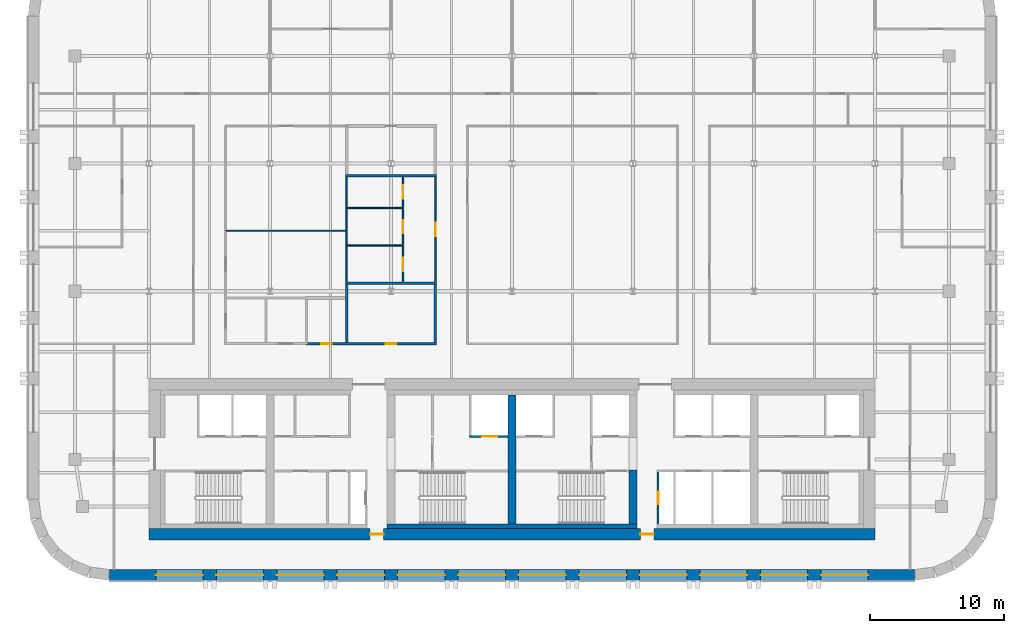
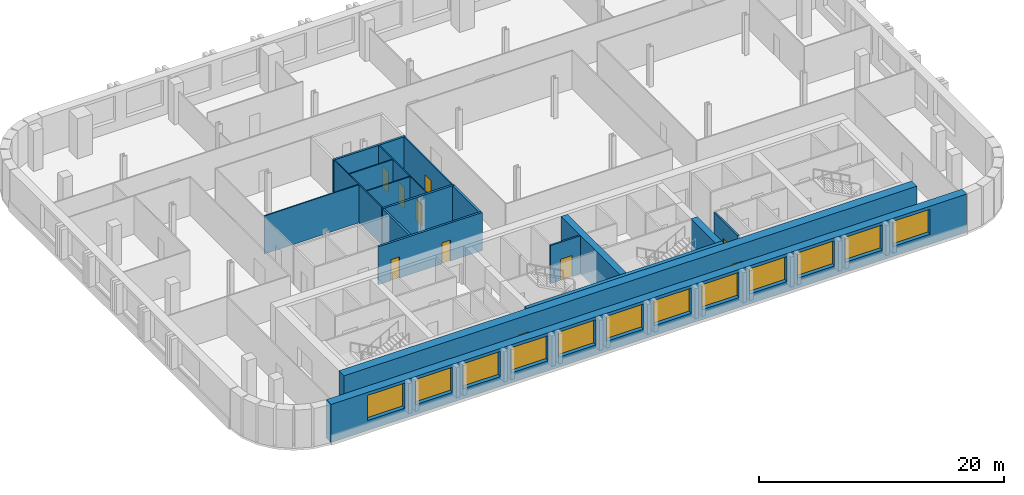
# One storey, part 4 of 10: 18 walls, 12 windows, 10 doors, 22 openings.
"""IFC4 building model written with IfcOpenShell, lengths in metres."""

from ifc_helpers import new_model, si_unit, direction, frame, frame_2d, origin, place, context, subcontext, project, spatial, rectangle, extrude, material, layer, layer_set, type_object, element, fill, save


model = new_model("IFC4")

# Units and contexts
model_context = context("Model", 3, precision=1e-05, world=origin(), true_north=direction((0.0, 1.0)))
body_context = subcontext(model_context, "Body", "Model", "MODEL_VIEW")
ifc_project = project(units=[si_unit("LENGTHUNIT", "METRE"), si_unit("AREAUNIT", "SQUARE_METRE"), si_unit("VOLUMEUNIT", "CUBIC_METRE"), si_unit("PLANEANGLEUNIT", "RADIAN"), si_unit("MASSUNIT", "GRAM", prefix="KILO")], contexts=[model_context])

# Site, building, storey
site_placement = place(None, origin())
site = spatial("IfcSite", under=ifc_project, at=site_placement, CompositionType="ELEMENT")
building_placement = place(site_placement, origin())
building = spatial("IfcBuilding", under=site, at=building_placement, Name="Zellij Exchange Tower", CompositionType="ELEMENT")
storey_placement = place(building_placement, frame((0.0, 0.0, 168.5)))
storey = spatial("IfcBuildingStorey", under=building, at=storey_placement, Name="L38", CompositionType="ELEMENT", Elevation=168.5)

# Walls
ifc_material_1 = material(Name="Concrete C60/75", Category="concrete")
ifc_layer_1 = layer(ifc_material_1, 0.60009765625)
ifc_layer_set_1 = layer_set([ifc_layer_1], Name="Concrete C60/75")
wall_type_1 = type_object("IfcWallType", Name="CORE-CW 600 C60/75", PredefinedType="SHEAR", material=ifc_layer_set_1)
wall_1_placement = place(storey_placement, frame((0.0, -12.800048828125, 0.0), z_axis=(0.0, 0.0, 1.0), x_axis=(0.0, 1.0, 0.0)))
element("IfcWall", 1, at=wall_1_placement, inside=storey, type_object=wall_type_1, Name="Core cross wall x 0 L38", PredefinedType="SHEAR", context=body_context, shape_type="SweptSolid", body=[
    extrude(rectangle(XDim=9.60009765625, YDim=0.60009765625, at=frame_2d((4.800048828125, 0.0))), origin(), (0.0, 0.0, 1.0), 3.800048828125),
])
wall_2_placement = place(storey_placement, frame((9.0, -12.800048828125, 0.0), z_axis=(0.0, 0.0, 1.0), x_axis=(0.0, 1.0, 0.0)))
element("IfcWall", 2, at=wall_2_placement, inside=storey, type_object=wall_type_1, Name="Core cross wall pier x 9 a L38", PredefinedType="SHEAR", context=body_context, shape_type="SweptSolid", body=[
    extrude(rectangle(XDim=4.0, YDim=0.60009765625, at=frame_2d((2.0, 0.0))), origin(), (0.0, 0.0, 1.0), 3.800048828125),
])
ifc_material_2 = material(Name="Concrete C30/37", Category="concrete")
ifc_layer_2 = layer(ifc_material_2, 0.35009765625)
ifc_layer_set_2 = layer_set([ifc_layer_2], Name="Concrete C30/37")
wall_type_2 = type_object("IfcWallType", Name="CORE-LW 350 C30/37", PredefinedType="SHEAR", material=ifc_layer_set_2)
wall_3_placement = place(storey_placement, frame((-9.300048828125, -12.97509765625, 0.0), z_axis=(0.0, 0.0, 1.0), x_axis=(1.0, 0.0, 0.0)))
element("IfcWall", 3, at=wall_3_placement, inside=storey, type_object=wall_type_2, Name="Core wall lining rear.1 L38", PredefinedType="SHEAR", context=body_context, shape_type="SweptSolid", body=[
    extrude(rectangle(XDim=18.60009765625, YDim=0.35009765625, at=frame_2d((9.300048828125, 0.0))), origin(), (0.0, 0.0, 1.0), 3.800048828125),
])

# Wall, opening, door
ifc_material_3 = material(Name="Gypsum board partition")
ifc_layer_3 = layer(ifc_material_3, 0.14990234375)
ifc_layer_set_3 = layer_set([ifc_layer_3], Name="Gypsum board partition")
wall_type_3 = type_object("IfcWallType", Name="CORE-PW 150 Lift lobby wall", PredefinedType="PARTITIONING", material=ifc_layer_set_3)
wall_4_placement = place(storey_placement, frame((10.875, -12.800048828125, 0.0), z_axis=(0.0, 0.0, 1.0), x_axis=(0.0, 1.0, 0.0)))
wall_4 = element("IfcWall", 4, at=wall_4_placement, inside=storey, type_object=wall_type_3, Name="Lift lobby wall L38", PredefinedType="PARTITIONING", context=body_context, shape_type="SweptSolid", body=[
    extrude(rectangle(XDim=3.85009765625, YDim=0.14990234375, at=frame_2d((1.925048828125, 0.0))), origin(), (0.0, 0.0, 1.0), 3.800048828125),
])
opening_1_placement = place(wall_4_placement, frame((1.47509765625, 0.0, 0.0)))
opening_1 = element("IfcOpeningElement", 5, at=opening_1_placement, cuts=wall_4, Name="Opening CA-21.21", PredefinedType="OPENING", context=body_context, shape_type="SweptSolid", body=[
    extrude(rectangle(XDim=0.89990234375, YDim=2.10009765625, at=frame_2d((0.449951171875, 1.050048828125))), frame((0.0, 0.0869140625, 0.0), z_axis=(0.0, -1.0, 0.0), x_axis=(1.0, 0.0, 0.0)), (0.0, 0.0, 1.0), 0.173828125),
])
ifc_material_4 = material(Name="Hollow metal fire door")
door_type_1 = type_object("IfcDoorType", Name="CORE-D RD Riser door 900x2100 1.5 HR", OperationType="NOTDEFINED", PredefinedType="DOOR", material=ifc_material_4)
door_1_placement = place(opening_1_placement, origin())
door_1 = element("IfcDoor", 6, at=door_1_placement, inside=storey, type_object=door_type_1, Name="Riser door CA-21.21", OperationType="SINGLE_SWING_LEFT", OverallHeight=2.10009765625, OverallWidth=0.89990234375, PredefinedType="DOOR", context=body_context, shape_type="SweptSolid", body=[
    extrude(rectangle(XDim=0.89990234375, YDim=2.10009765625, at=frame_2d((0.449951171875, 1.050048828125))), frame((0.0, 0.02490234375, 0.0), z_axis=(0.0, -1.0, 0.0), x_axis=(1.0, 0.0, 0.0)), (0.0, 0.0, 1.0), 0.050048828125),
])
fill(opening_1, door_1)

ifc_material_5 = material(Name="Gypsum shaft wall system")
ifc_layer_4 = layer(ifc_material_5, 0.14990234375)
ifc_layer_set_4 = layer_set([ifc_layer_4], Name="Gypsum shaft wall system")
wall_type_4 = type_object("IfcWallType", Name="CORE-PW 150 Lift shaft wall", PredefinedType="PARTITIONING", material=ifc_layer_set_4)
wall_5_placement = place(storey_placement, frame((-3.14990234375, -6.300048828125, 0.0), z_axis=(0.0, 0.0, 1.0), x_axis=(1.0, 0.0, 0.0)))
wall_5 = element("IfcWall", 7, at=wall_5_placement, inside=storey, type_object=wall_type_4, Name="Lift shaft wall L38", PredefinedType="PARTITIONING", context=body_context, shape_type="SweptSolid", body=[
    extrude(rectangle(XDim=2.849853515625, YDim=0.14990234375, at=frame_2d((1.4248046875, 0.0))), origin(), (0.0, 0.0, 1.0), 3.800048828125),
])
opening_2_placement = place(wall_5_placement, frame((0.949951171875, 0.0, 0.0)))
opening_2 = element("IfcOpeningElement", 8, at=opening_2_placement, cuts=wall_5, Name="Opening CA-21.14", PredefinedType="OPENING", context=body_context, shape_type="SweptSolid", body=[
    extrude(rectangle(XDim=1.10009765625, YDim=2.10009765625, at=frame_2d((0.550048828125, 1.050048828125))), frame((0.0, 0.0869140625, 0.0), z_axis=(0.0, -1.0, 0.0), x_axis=(1.0, 0.0, 0.0)), (0.0, 0.0, 1.0), 0.173828125),
])
door_type_2 = type_object("IfcDoorType", Name="CORE-D LD Lift landing door 1100x2100 1.5 HR", OperationType="NOTDEFINED", PredefinedType="DOOR", material=ifc_material_4)
door_2_placement = place(opening_2_placement, origin())
door_2 = element("IfcDoor", 9, at=door_2_placement, inside=storey, type_object=door_type_2, Name="Lift landing door CA-21.14", OperationType="SLIDING_TO_RIGHT", OverallHeight=2.10009765625, OverallWidth=1.10009765625, PredefinedType="DOOR", context=body_context, shape_type="SweptSolid", body=[
    extrude(rectangle(XDim=1.10009765625, YDim=2.10009765625, at=frame_2d((0.550048828125, 1.050048828125))), frame((0.0, 0.02490234375, 0.0), z_axis=(0.0, -1.0, 0.0), x_axis=(1.0, 0.0, 0.0)), (0.0, 0.0, 1.0), 0.050048828125),
])
fill(opening_2, door_2)

# Wall, openings, doors
ifc_layer_5 = layer(ifc_material_1, 0.85009765625)
ifc_layer_set_5 = layer_set([ifc_layer_5], Name="Concrete C60/75")
wall_type_5 = type_object("IfcWallType", Name="CORE-SW 850 C60/75", PredefinedType="SHEAR", material=ifc_layer_set_5)
wall_6_placement = place(storey_placement, frame((-27.0, -13.574951171875, 0.0), z_axis=(0.0, 0.0, 1.0), x_axis=(1.0, 0.0, 0.0)))
wall_6 = element("IfcWall", 10, at=wall_6_placement, inside=storey, type_object=wall_type_5, Name="Core shear wall rear L38", PredefinedType="SHEAR", context=body_context, shape_type="SweptSolid", body=[
    extrude(rectangle(XDim=54.0, YDim=0.85009765625, at=frame_2d((27.0, 0.0))), origin(), (0.0, 0.0, 1.0), 3.800048828125),
])
opening_3_placement = place(wall_6_placement, frame((16.449951171875, 0.0, 0.0)))
opening_3 = element("IfcOpeningElement", 11, at=opening_3_placement, cuts=wall_6, Name="Opening CA-21.11", PredefinedType="OPENING", context=body_context, shape_type="SweptSolid", body=[
    extrude(rectangle(XDim=1.0, YDim=2.10009765625, at=frame_2d((0.5, 1.050048828125))), frame((0.0, 0.43701171875, 0.0), z_axis=(0.0, -1.0, 0.0), x_axis=(1.0, 0.0, 0.0)), (0.0, 0.0, 1.0), 0.8740234375),
])
opening_4_placement = place(wall_6_placement, frame((36.550048828125, 0.0, 0.0)))
opening_4 = element("IfcOpeningElement", 12, at=opening_4_placement, cuts=wall_6, Name="Opening CA-21.19", PredefinedType="OPENING", context=body_context, shape_type="SweptSolid", body=[
    extrude(rectangle(XDim=1.0, YDim=2.10009765625, at=frame_2d((0.5, 1.050048828125))), frame((0.0, 0.43701171875, 0.0), z_axis=(0.0, -1.0, 0.0), x_axis=(1.0, 0.0, 0.0)), (0.0, 0.0, 1.0), 0.8740234375),
])
door_type_3 = type_object("IfcDoorType", Name="CORE-D CR Core rear door 1000x2100 20 MIN", OperationType="NOTDEFINED", PredefinedType="DOOR", material=ifc_material_4)
door_3_placement = place(opening_3_placement, origin())
door_3 = element("IfcDoor", 13, at=door_3_placement, inside=storey, type_object=door_type_3, Name="Core rear door CA-21.11", OperationType="SINGLE_SWING_RIGHT", OverallHeight=2.10009765625, OverallWidth=1.0, PredefinedType="DOOR", context=body_context, shape_type="SweptSolid", body=[
    extrude(rectangle(XDim=1.0, YDim=2.10009765625, at=frame_2d((0.5, 1.050048828125))), frame((0.0, 0.02490234375, 0.0), z_axis=(0.0, -1.0, 0.0), x_axis=(1.0, 0.0, 0.0)), (0.0, 0.0, 1.0), 0.050048828125),
])
fill(opening_3, door_3)
door_4_placement = place(opening_4_placement, origin())
door_4 = element("IfcDoor", 14, at=door_4_placement, inside=storey, type_object=door_type_3, Name="Core rear door CA-21.19", OperationType="SINGLE_SWING_LEFT", OverallHeight=2.10009765625, OverallWidth=1.0, PredefinedType="DOOR", context=body_context, shape_type="SweptSolid", body=[
    extrude(rectangle(XDim=1.0, YDim=2.10009765625, at=frame_2d((0.5, 1.050048828125))), frame((0.0, 0.02490234375, 0.0), z_axis=(0.0, -1.0, 0.0), x_axis=(1.0, 0.0, 0.0)), (0.0, 0.0, 1.0), 0.050048828125),
])
fill(opening_4, door_4)

# Wall, openings, windows
ifc_material_6 = material(Name="Precast concrete C40/50", Category="concrete")
ifc_layer_6 = layer(ifc_material_6, 0.800048828125)
ifc_layer_set_6 = layer_set([ifc_layer_6], Name="Precast concrete C40/50")
wall_type_6 = type_object("IfcWallType", Name="ENV-EW1 Precast stone-piered wall 800", PredefinedType="SOLIDWALL", material=ifc_layer_set_6)
wall_7_placement = place(storey_placement, frame((-29.947509765625, -16.60009765625, 0.0), z_axis=(0.0, 0.0, 1.0), x_axis=(1.0, 0.0, 0.0)))
wall_7 = element("IfcWall", 15, at=wall_7_placement, inside=storey, type_object=wall_type_6, Name="fac.L38.00", PredefinedType="SOLIDWALL", context=body_context, shape_type="SweptSolid", body=[
    extrude(rectangle(XDim=59.89501953125, YDim=0.800048828125, at=frame_2d((29.947509765625, 0.0))), origin(), (0.0, 0.0, 1.0), 3.800048828125),
])
opening_5_placement = place(wall_7_placement, frame((3.447509765625, 0.0, 1.0)))
opening_5 = element("IfcOpeningElement", 16, at=opening_5_placement, cuts=wall_7, Name="Opening FZ3.01", PredefinedType="OPENING", context=body_context, shape_type="SweptSolid", body=[
    extrude(rectangle(XDim=3.5, YDim=2.5, at=frame_2d((1.75, 1.25))), frame((0.0, 0.412109375, 0.0), z_axis=(0.0, -1.0, 0.0), x_axis=(1.0, 0.0, 0.0)), (0.0, 0.0, 1.0), 0.823974609375),
])
opening_6_placement = place(wall_7_placement, frame((7.947509765625, 0.0, 1.0)))
opening_6 = element("IfcOpeningElement", 17, at=opening_6_placement, cuts=wall_7, Name="Opening FZ3.02", PredefinedType="OPENING", context=body_context, shape_type="SweptSolid", body=[
    extrude(rectangle(XDim=3.5, YDim=2.5, at=frame_2d((1.75, 1.25))), frame((0.0, 0.412109375, 0.0), z_axis=(0.0, -1.0, 0.0), x_axis=(1.0, 0.0, 0.0)), (0.0, 0.0, 1.0), 0.823974609375),
])
opening_7_placement = place(wall_7_placement, frame((12.447509765625, 0.0, 1.0)))
opening_7 = element("IfcOpeningElement", 18, at=opening_7_placement, cuts=wall_7, Name="Opening FZ3.03", PredefinedType="OPENING", context=body_context, shape_type="SweptSolid", body=[
    extrude(rectangle(XDim=3.5, YDim=2.5, at=frame_2d((1.75, 1.25))), frame((0.0, 0.412109375, 0.0), z_axis=(0.0, -1.0, 0.0), x_axis=(1.0, 0.0, 0.0)), (0.0, 0.0, 1.0), 0.823974609375),
])
opening_8_placement = place(wall_7_placement, frame((16.947509765625, 0.0, 1.0)))
opening_8 = element("IfcOpeningElement", 19, at=opening_8_placement, cuts=wall_7, Name="Opening FZ3.04", PredefinedType="OPENING", context=body_context, shape_type="SweptSolid", body=[
    extrude(rectangle(XDim=3.5, YDim=2.5, at=frame_2d((1.75, 1.25))), frame((0.0, 0.412109375, 0.0), z_axis=(0.0, -1.0, 0.0), x_axis=(1.0, 0.0, 0.0)), (0.0, 0.0, 1.0), 0.823974609375),
])
opening_9_placement = place(wall_7_placement, frame((21.447509765625, 0.0, 1.0)))
opening_9 = element("IfcOpeningElement", 20, at=opening_9_placement, cuts=wall_7, Name="Opening FZ3.05", PredefinedType="OPENING", context=body_context, shape_type="SweptSolid", body=[
    extrude(rectangle(XDim=3.5, YDim=2.5, at=frame_2d((1.75, 1.25))), frame((0.0, 0.412109375, 0.0), z_axis=(0.0, -1.0, 0.0), x_axis=(1.0, 0.0, 0.0)), (0.0, 0.0, 1.0), 0.823974609375),
])
opening_10_placement = place(wall_7_placement, frame((25.947509765625, 0.0, 1.0)))
opening_10 = element("IfcOpeningElement", 21, at=opening_10_placement, cuts=wall_7, Name="Opening FZ3.06", PredefinedType="OPENING", context=body_context, shape_type="SweptSolid", body=[
    extrude(rectangle(XDim=3.5, YDim=2.5, at=frame_2d((1.75, 1.25))), frame((0.0, 0.412109375, 0.0), z_axis=(0.0, -1.0, 0.0), x_axis=(1.0, 0.0, 0.0)), (0.0, 0.0, 1.0), 0.823974609375),
])
opening_11_placement = place(wall_7_placement, frame((30.447509765625, 0.0, 1.0)))
opening_11 = element("IfcOpeningElement", 22, at=opening_11_placement, cuts=wall_7, Name="Opening FZ3.07", PredefinedType="OPENING", context=body_context, shape_type="SweptSolid", body=[
    extrude(rectangle(XDim=3.5, YDim=2.5, at=frame_2d((1.75, 1.25))), frame((0.0, 0.412109375, 0.0), z_axis=(0.0, -1.0, 0.0), x_axis=(1.0, 0.0, 0.0)), (0.0, 0.0, 1.0), 0.823974609375),
])
opening_12_placement = place(wall_7_placement, frame((34.947509765625, 0.0, 1.0)))
opening_12 = element("IfcOpeningElement", 23, at=opening_12_placement, cuts=wall_7, Name="Opening FZ3.08", PredefinedType="OPENING", context=body_context, shape_type="SweptSolid", body=[
    extrude(rectangle(XDim=3.5, YDim=2.5, at=frame_2d((1.75, 1.25))), frame((0.0, 0.412109375, 0.0), z_axis=(0.0, -1.0, 0.0), x_axis=(1.0, 0.0, 0.0)), (0.0, 0.0, 1.0), 0.823974609375),
])
opening_13_placement = place(wall_7_placement, frame((39.447509765625, 0.0, 1.0)))
opening_13 = element("IfcOpeningElement", 24, at=opening_13_placement, cuts=wall_7, Name="Opening FZ3.09", PredefinedType="OPENING", context=body_context, shape_type="SweptSolid", body=[
    extrude(rectangle(XDim=3.5, YDim=2.5, at=frame_2d((1.75, 1.25))), frame((0.0, 0.412109375, 0.0), z_axis=(0.0, -1.0, 0.0), x_axis=(1.0, 0.0, 0.0)), (0.0, 0.0, 1.0), 0.823974609375),
])
opening_14_placement = place(wall_7_placement, frame((43.947509765625, 0.0, 1.0)))
opening_14 = element("IfcOpeningElement", 25, at=opening_14_placement, cuts=wall_7, Name="Opening FZ3.10", PredefinedType="OPENING", context=body_context, shape_type="SweptSolid", body=[
    extrude(rectangle(XDim=3.5, YDim=2.5, at=frame_2d((1.75, 1.25))), frame((0.0, 0.412109375, 0.0), z_axis=(0.0, -1.0, 0.0), x_axis=(1.0, 0.0, 0.0)), (0.0, 0.0, 1.0), 0.823974609375),
])
opening_15_placement = place(wall_7_placement, frame((48.447509765625, 0.0, 1.0)))
opening_15 = element("IfcOpeningElement", 26, at=opening_15_placement, cuts=wall_7, Name="Opening FZ3.11", PredefinedType="OPENING", context=body_context, shape_type="SweptSolid", body=[
    extrude(rectangle(XDim=3.5, YDim=2.5, at=frame_2d((1.75, 1.25))), frame((0.0, 0.412109375, 0.0), z_axis=(0.0, -1.0, 0.0), x_axis=(1.0, 0.0, 0.0)), (0.0, 0.0, 1.0), 0.823974609375),
])
opening_16_placement = place(wall_7_placement, frame((52.947509765625, 0.0, 1.0)))
opening_16 = element("IfcOpeningElement", 27, at=opening_16_placement, cuts=wall_7, Name="Opening FZ3.12", PredefinedType="OPENING", context=body_context, shape_type="SweptSolid", body=[
    extrude(rectangle(XDim=3.5, YDim=2.5, at=frame_2d((1.75, 1.25))), frame((0.0, 0.412109375, 0.0), z_axis=(0.0, -1.0, 0.0), x_axis=(1.0, 0.0, 0.0)), (0.0, 0.0, 1.0), 0.823974609375),
])
ifc_material_7 = material(Name="Aluminium frame with insulating glass", Category="aluminium")
window_type = type_object("IfcWindowType", Name="ENV-W1 Window 3500x2500", PartitioningType="SINGLE_PANEL", PredefinedType="WINDOW", material=ifc_material_7)
window_1_placement = place(opening_5_placement, origin())
window_1 = element("IfcWindow", 28, at=window_1_placement, inside=storey, type_object=window_type, Name="Window FZ3.01", OverallHeight=2.5, OverallWidth=3.5, PartitioningType="SINGLE_PANEL", PredefinedType="WINDOW", context=body_context, shape_type="SweptSolid", body=[
    extrude(rectangle(XDim=3.5, YDim=2.5, at=frame_2d((1.75, 1.25))), frame((0.0, 0.030029296875, 0.0), z_axis=(0.0, -1.0, 0.0), x_axis=(1.0, 0.0, 0.0)), (0.0, 0.0, 1.0), 0.06005859375),
])
fill(opening_5, window_1)
window_2_placement = place(opening_6_placement, origin())
window_2 = element("IfcWindow", 29, at=window_2_placement, inside=storey, type_object=window_type, Name="Window FZ3.02", OverallHeight=2.5, OverallWidth=3.5, PartitioningType="SINGLE_PANEL", PredefinedType="WINDOW", context=body_context, shape_type="SweptSolid", body=[
    extrude(rectangle(XDim=3.5, YDim=2.5, at=frame_2d((1.75, 1.25))), frame((0.0, 0.030029296875, 0.0), z_axis=(0.0, -1.0, 0.0), x_axis=(1.0, 0.0, 0.0)), (0.0, 0.0, 1.0), 0.06005859375),
])
fill(opening_6, window_2)
window_3_placement = place(opening_7_placement, origin())
window_3 = element("IfcWindow", 30, at=window_3_placement, inside=storey, type_object=window_type, Name="Window FZ3.03", OverallHeight=2.5, OverallWidth=3.5, PartitioningType="SINGLE_PANEL", PredefinedType="WINDOW", context=body_context, shape_type="SweptSolid", body=[
    extrude(rectangle(XDim=3.5, YDim=2.5, at=frame_2d((1.75, 1.25))), frame((0.0, 0.030029296875, 0.0), z_axis=(0.0, -1.0, 0.0), x_axis=(1.0, 0.0, 0.0)), (0.0, 0.0, 1.0), 0.06005859375),
])
fill(opening_7, window_3)
window_4_placement = place(opening_8_placement, origin())
window_4 = element("IfcWindow", 31, at=window_4_placement, inside=storey, type_object=window_type, Name="Window FZ3.04", OverallHeight=2.5, OverallWidth=3.5, PartitioningType="SINGLE_PANEL", PredefinedType="WINDOW", context=body_context, shape_type="SweptSolid", body=[
    extrude(rectangle(XDim=3.5, YDim=2.5, at=frame_2d((1.75, 1.25))), frame((0.0, 0.030029296875, 0.0), z_axis=(0.0, -1.0, 0.0), x_axis=(1.0, 0.0, 0.0)), (0.0, 0.0, 1.0), 0.06005859375),
])
fill(opening_8, window_4)
window_5_placement = place(opening_9_placement, origin())
window_5 = element("IfcWindow", 32, at=window_5_placement, inside=storey, type_object=window_type, Name="Window FZ3.05", OverallHeight=2.5, OverallWidth=3.5, PartitioningType="SINGLE_PANEL", PredefinedType="WINDOW", context=body_context, shape_type="SweptSolid", body=[
    extrude(rectangle(XDim=3.5, YDim=2.5, at=frame_2d((1.75, 1.25))), frame((0.0, 0.030029296875, 0.0), z_axis=(0.0, -1.0, 0.0), x_axis=(1.0, 0.0, 0.0)), (0.0, 0.0, 1.0), 0.06005859375),
])
fill(opening_9, window_5)
window_6_placement = place(opening_10_placement, origin())
window_6 = element("IfcWindow", 33, at=window_6_placement, inside=storey, type_object=window_type, Name="Window FZ3.06", OverallHeight=2.5, OverallWidth=3.5, PartitioningType="SINGLE_PANEL", PredefinedType="WINDOW", context=body_context, shape_type="SweptSolid", body=[
    extrude(rectangle(XDim=3.5, YDim=2.5, at=frame_2d((1.75, 1.25))), frame((0.0, 0.030029296875, 0.0), z_axis=(0.0, -1.0, 0.0), x_axis=(1.0, 0.0, 0.0)), (0.0, 0.0, 1.0), 0.06005859375),
])
fill(opening_10, window_6)
window_7_placement = place(opening_11_placement, origin())
window_7 = element("IfcWindow", 34, at=window_7_placement, inside=storey, type_object=window_type, Name="Window FZ3.07", OverallHeight=2.5, OverallWidth=3.5, PartitioningType="SINGLE_PANEL", PredefinedType="WINDOW", context=body_context, shape_type="SweptSolid", body=[
    extrude(rectangle(XDim=3.5, YDim=2.5, at=frame_2d((1.75, 1.25))), frame((0.0, 0.030029296875, 0.0), z_axis=(0.0, -1.0, 0.0), x_axis=(1.0, 0.0, 0.0)), (0.0, 0.0, 1.0), 0.06005859375),
])
fill(opening_11, window_7)
window_8_placement = place(opening_12_placement, origin())
window_8 = element("IfcWindow", 35, at=window_8_placement, inside=storey, type_object=window_type, Name="Window FZ3.08", OverallHeight=2.5, OverallWidth=3.5, PartitioningType="SINGLE_PANEL", PredefinedType="WINDOW", context=body_context, shape_type="SweptSolid", body=[
    extrude(rectangle(XDim=3.5, YDim=2.5, at=frame_2d((1.75, 1.25))), frame((0.0, 0.030029296875, 0.0), z_axis=(0.0, -1.0, 0.0), x_axis=(1.0, 0.0, 0.0)), (0.0, 0.0, 1.0), 0.06005859375),
])
fill(opening_12, window_8)
window_9_placement = place(opening_13_placement, origin())
window_9 = element("IfcWindow", 36, at=window_9_placement, inside=storey, type_object=window_type, Name="Window FZ3.09", OverallHeight=2.5, OverallWidth=3.5, PartitioningType="SINGLE_PANEL", PredefinedType="WINDOW", context=body_context, shape_type="SweptSolid", body=[
    extrude(rectangle(XDim=3.5, YDim=2.5, at=frame_2d((1.75, 1.25))), frame((0.0, 0.030029296875, 0.0), z_axis=(0.0, -1.0, 0.0), x_axis=(1.0, 0.0, 0.0)), (0.0, 0.0, 1.0), 0.06005859375),
])
fill(opening_13, window_9)
window_10_placement = place(opening_14_placement, origin())
window_10 = element("IfcWindow", 37, at=window_10_placement, inside=storey, type_object=window_type, Name="Window FZ3.10", OverallHeight=2.5, OverallWidth=3.5, PartitioningType="SINGLE_PANEL", PredefinedType="WINDOW", context=body_context, shape_type="SweptSolid", body=[
    extrude(rectangle(XDim=3.5, YDim=2.5, at=frame_2d((1.75, 1.25))), frame((0.0, 0.030029296875, 0.0), z_axis=(0.0, -1.0, 0.0), x_axis=(1.0, 0.0, 0.0)), (0.0, 0.0, 1.0), 0.06005859375),
])
fill(opening_14, window_10)
window_11_placement = place(opening_15_placement, origin())
window_11 = element("IfcWindow", 38, at=window_11_placement, inside=storey, type_object=window_type, Name="Window FZ3.11", OverallHeight=2.5, OverallWidth=3.5, PartitioningType="SINGLE_PANEL", PredefinedType="WINDOW", context=body_context, shape_type="SweptSolid", body=[
    extrude(rectangle(XDim=3.5, YDim=2.5, at=frame_2d((1.75, 1.25))), frame((0.0, 0.030029296875, 0.0), z_axis=(0.0, -1.0, 0.0), x_axis=(1.0, 0.0, 0.0)), (0.0, 0.0, 1.0), 0.06005859375),
])
fill(opening_15, window_11)
window_12_placement = place(opening_16_placement, origin())
window_12 = element("IfcWindow", 39, at=window_12_placement, inside=storey, type_object=window_type, Name="Window FZ3.12", OverallHeight=2.5, OverallWidth=3.5, PartitioningType="SINGLE_PANEL", PredefinedType="WINDOW", context=body_context, shape_type="SweptSolid", body=[
    extrude(rectangle(XDim=3.5, YDim=2.5, at=frame_2d((1.75, 1.25))), frame((0.0, 0.030029296875, 0.0), z_axis=(0.0, -1.0, 0.0), x_axis=(1.0, 0.0, 0.0)), (0.0, 0.0, 1.0), 0.06005859375),
])
fill(opening_16, window_12)

# Wall, openings, doors
ifc_material_8 = material(Name="Blockwork partition", Category="masonry")
ifc_layer_7 = layer(ifc_material_8, 0.199951171875)
ifc_layer_set_7 = layer_set([ifc_layer_7], Name="Blockwork partition")
wall_type_7 = type_object("IfcWallType", Name="FIT-BLOCKWORK-200", PredefinedType="PARTITIONING", material=ifc_layer_set_7)
wall_8_placement = place(storey_placement, frame((-15.375, 0.60009765625, 0.0), z_axis=(0.0, 0.0, 1.0), x_axis=(1.0, 0.0, 0.0)))
wall_8 = element("IfcWall", 40, at=wall_8_placement, inside=storey, type_object=wall_type_7, Name="FIT-BLOCKWORK-200 008", PredefinedType="PARTITIONING", context=body_context, shape_type="SweptSolid", body=[
    extrude(rectangle(XDim=9.77490234375, YDim=0.199951171875, at=frame_2d((4.887451171875, 0.0))), origin(), (0.0, 0.0, 1.0), 3.800048828125),
])
opening_17_placement = place(wall_8_placement, frame((1.175048828125, 0.0, 0.0)))
opening_17 = element("IfcOpeningElement", 41, at=opening_17_placement, cuts=wall_8, Name="Opening O3A.04", PredefinedType="OPENING", context=body_context, shape_type="SweptSolid", body=[
    extrude(rectangle(XDim=0.800048828125, YDim=2.10009765625, at=frame_2d((0.39990234375, 1.050048828125))), frame((0.0, 0.11181640625, 0.0), z_axis=(0.0, -1.0, 0.0), x_axis=(1.0, 0.0, 0.0)), (0.0, 0.0, 1.0), 0.223876953125),
])
opening_18_placement = place(wall_8_placement, frame((5.97509765625, 0.0, 0.0)))
opening_18 = element("IfcOpeningElement", 42, at=opening_18_placement, cuts=wall_8, Name="Opening O3A.05", PredefinedType="OPENING", context=body_context, shape_type="SweptSolid", body=[
    extrude(rectangle(XDim=0.800048828125, YDim=2.10009765625, at=frame_2d((0.39990234375, 1.050048828125))), frame((0.0, 0.11181640625, 0.0), z_axis=(0.0, -1.0, 0.0), x_axis=(1.0, 0.0, 0.0)), (0.0, 0.0, 1.0), 0.223876953125),
])
ifc_material_9 = material(Name="Timber door set", Category="wood")
door_type_4 = type_object("IfcDoorType", Name="FIT-D6-SERVICE-800X2100", OperationType="SINGLE_SWING_LEFT", PredefinedType="DOOR", material=ifc_material_9)
door_5_placement = place(opening_17_placement, origin())
door_5 = element("IfcDoor", 43, at=door_5_placement, inside=storey, type_object=door_type_4, Name="Door O3A.04", OperationType="SINGLE_SWING_RIGHT", OverallHeight=2.10009765625, OverallWidth=0.800048828125, PredefinedType="DOOR", context=body_context, shape_type="SweptSolid", body=[
    extrude(rectangle(XDim=0.800048828125, YDim=2.10009765625, at=frame_2d((0.39990234375, 1.050048828125))), frame((0.0, 0.02490234375, 0.0), z_axis=(0.0, -1.0, 0.0), x_axis=(1.0, 0.0, 0.0)), (0.0, 0.0, 1.0), 0.050048828125),
])
fill(opening_17, door_5)
door_6_placement = place(opening_18_placement, origin())
door_6 = element("IfcDoor", 44, at=door_6_placement, inside=storey, type_object=door_type_4, Name="Door O3A.05", OperationType="SINGLE_SWING_LEFT", OverallHeight=2.10009765625, OverallWidth=0.800048828125, PredefinedType="DOOR", context=body_context, shape_type="SweptSolid", body=[
    extrude(rectangle(XDim=0.800048828125, YDim=2.10009765625, at=frame_2d((0.39990234375, 1.050048828125))), frame((0.0, 0.02490234375, 0.0), z_axis=(0.0, -1.0, 0.0), x_axis=(1.0, 0.0, 0.0)), (0.0, 0.0, 1.0), 0.050048828125),
])
fill(opening_18, door_6)

# Walls
for number, where, z_axis, x_axis, name in (
    (45, (-12.300048828125, 0.699951171875, 0.0), (0.0, 0.0, 1.0), (0.0, 1.0, 0.0), "FIT-BLOCKWORK-200 010"),
    (46, (-5.699951171875, 0.699951171875, 0.0), (0.0, 0.0, 1.0), (0.0, 1.0, 0.0), "FIT-BLOCKWORK-200 011"),
):
    element("IfcWall", number, at=place(storey_placement, frame(where, z_axis=z_axis, x_axis=x_axis)), inside=storey, type_object=wall_type_7, Name=name, PredefinedType="PARTITIONING", context=body_context, shape_type="SweptSolid", body=[
        extrude(rectangle(XDim=4.300048828125, YDim=0.199951171875, at=frame_2d((2.14990234375, 0.0))), origin(), (0.0, 0.0, 1.0), 3.800048828125),
    ])
for number, where, z_axis, x_axis, name in (
    (47, (-12.39990234375, 5.10009765625, 0.0), (0.0, 0.0, 1.0), (1.0, 0.0, 0.0), "FIT-BLOCKWORK-200 020"),
    (48, (-12.39990234375, 13.10009765625, 0.0), (0.0, 0.0, 1.0), (1.0, 0.0, 0.0), "FIT-BLOCKWORK-200 031"),
):
    element("IfcWall", number, at=place(storey_placement, frame(where, z_axis=z_axis, x_axis=x_axis)), inside=storey, type_object=wall_type_7, Name=name, PredefinedType="PARTITIONING", context=body_context, shape_type="SweptSolid", body=[
        extrude(rectangle(XDim=6.7998046875, YDim=0.199951171875, at=frame_2d((3.39990234375, 0.0))), origin(), (0.0, 0.0, 1.0), 3.800048828125),
    ])
ifc_material_10 = material(Name="Gypsum board partition on steel studs", Category="steel")
ifc_layer_8 = layer(ifc_material_10, 0.10009765625)
ifc_layer_set_8 = layer_set([ifc_layer_8], Name="Gypsum board partition on steel studs")
wall_type_8 = type_object("IfcWallType", Name="FIT-PARTITION-100", PredefinedType="PARTITIONING", material=ifc_layer_set_8)
wall_9_placement = place(storey_placement, frame((-12.300048828125, 5.199951171875, 0.0), z_axis=(0.0, 0.0, 1.0), x_axis=(0.0, 1.0, 0.0)))
element("IfcWall", 49, at=wall_9_placement, inside=storey, type_object=wall_type_8, Name="FIT-PARTITION-100 021", PredefinedType="PARTITIONING", context=body_context, shape_type="SweptSolid", body=[
    extrude(rectangle(XDim=7.800048828125, YDim=0.10009765625, at=frame_2d((3.89990234375, 0.0))), origin(), (0.0, 0.0, 1.0), 3.800048828125),
])

# Wall, openings, doors
wall_10_placement = place(storey_placement, frame((-8.10009765625, 5.199951171875, 0.0), z_axis=(0.0, 0.0, 1.0), x_axis=(0.0, 1.0, 0.0)))
wall_10 = element("IfcWall", 50, at=wall_10_placement, inside=storey, type_object=wall_type_8, Name="FIT-PARTITION-100 022", PredefinedType="PARTITIONING", context=body_context, shape_type="SweptSolid", body=[
    extrude(rectangle(XDim=7.800048828125, YDim=0.10009765625, at=frame_2d((3.89990234375, 0.0))), origin(), (0.0, 0.0, 1.0), 3.800048828125),
])
opening_19_placement = place(wall_10_placement, frame((0.800048828125, 0.0, 0.0)))
opening_19 = element("IfcOpeningElement", 51, at=opening_19_placement, cuts=wall_10, Name="Opening O3A.10", PredefinedType="OPENING", context=body_context, shape_type="SweptSolid", body=[
    extrude(rectangle(XDim=1.0, YDim=2.10009765625, at=frame_2d((0.5, 1.050048828125))), frame((0.0, 0.06201171875, 0.0), z_axis=(0.0, -1.0, 0.0), x_axis=(1.0, 0.0, 0.0)), (0.0, 0.0, 1.0), 0.1240234375),
])
opening_20_placement = place(wall_10_placement, frame((3.60009765625, 0.0, 0.0)))
opening_20 = element("IfcOpeningElement", 52, at=opening_20_placement, cuts=wall_10, Name="Opening O3A.12", PredefinedType="OPENING", context=body_context, shape_type="SweptSolid", body=[
    extrude(rectangle(XDim=1.0, YDim=2.10009765625, at=frame_2d((0.5, 1.050048828125))), frame((0.0, 0.06201171875, 0.0), z_axis=(0.0, -1.0, 0.0), x_axis=(1.0, 0.0, 0.0)), (0.0, 0.0, 1.0), 0.1240234375),
])
opening_21_placement = place(wall_10_placement, frame((6.199951171875, 0.0, 0.0)))
opening_21 = element("IfcOpeningElement", 53, at=opening_21_placement, cuts=wall_10, Name="Opening O3A.13", PredefinedType="OPENING", context=body_context, shape_type="SweptSolid", body=[
    extrude(rectangle(XDim=1.0, YDim=2.10009765625, at=frame_2d((0.5, 1.050048828125))), frame((0.0, 0.06201171875, 0.0), z_axis=(0.0, -1.0, 0.0), x_axis=(1.0, 0.0, 0.0)), (0.0, 0.0, 1.0), 0.1240234375),
])
door_type_5 = type_object("IfcDoorType", Name="FIT-D2-WIDE-1000X2100", OperationType="SINGLE_SWING_LEFT", PredefinedType="DOOR", material=ifc_material_9)
door_7_placement = place(opening_19_placement, origin())
door_7 = element("IfcDoor", 54, at=door_7_placement, inside=storey, type_object=door_type_5, Name="Door O3A.10", OperationType="SINGLE_SWING_RIGHT", OverallHeight=2.10009765625, OverallWidth=1.0, PredefinedType="DOOR", context=body_context, shape_type="SweptSolid", body=[
    extrude(rectangle(XDim=1.0, YDim=2.10009765625, at=frame_2d((0.5, 1.050048828125))), frame((0.0, 0.02490234375, 0.0), z_axis=(0.0, -1.0, 0.0), x_axis=(1.0, 0.0, 0.0)), (0.0, 0.0, 1.0), 0.050048828125),
])
fill(opening_19, door_7)
door_8_placement = place(opening_20_placement, origin())
door_8 = element("IfcDoor", 55, at=door_8_placement, inside=storey, type_object=door_type_5, Name="Door O3A.12", OperationType="SINGLE_SWING_LEFT", OverallHeight=2.10009765625, OverallWidth=1.0, PredefinedType="DOOR", context=body_context, shape_type="SweptSolid", body=[
    extrude(rectangle(XDim=1.0, YDim=2.10009765625, at=frame_2d((0.5, 1.050048828125))), frame((0.0, 0.02490234375, 0.0), z_axis=(0.0, -1.0, 0.0), x_axis=(1.0, 0.0, 0.0)), (0.0, 0.0, 1.0), 0.050048828125),
])
fill(opening_20, door_8)
door_9_placement = place(opening_21_placement, origin())
door_9 = element("IfcDoor", 56, at=door_9_placement, inside=storey, type_object=door_type_5, Name="Door O3A.13", OperationType="SINGLE_SWING_LEFT", OverallHeight=2.10009765625, OverallWidth=1.0, PredefinedType="DOOR", context=body_context, shape_type="SweptSolid", body=[
    extrude(rectangle(XDim=1.0, YDim=2.10009765625, at=frame_2d((0.5, 1.050048828125))), frame((0.0, 0.02490234375, 0.0), z_axis=(0.0, -1.0, 0.0), x_axis=(1.0, 0.0, 0.0)), (0.0, 0.0, 1.0), 0.050048828125),
])
fill(opening_21, door_9)

# Wall, opening, door
wall_11_placement = place(storey_placement, frame((-5.699951171875, 5.199951171875, 0.0), z_axis=(0.0, 0.0, 1.0), x_axis=(0.0, 1.0, 0.0)))
wall_11 = element("IfcWall", 57, at=wall_11_placement, inside=storey, type_object=wall_type_8, Name="FIT-PARTITION-100 023", PredefinedType="PARTITIONING", context=body_context, shape_type="SweptSolid", body=[
    extrude(rectangle(XDim=7.800048828125, YDim=0.10009765625, at=frame_2d((3.89990234375, 0.0))), origin(), (0.0, 0.0, 1.0), 3.800048828125),
])
opening_22_placement = place(wall_11_placement, frame((3.39990234375, 0.0, 0.0)))
opening_22 = element("IfcOpeningElement", 58, at=opening_22_placement, cuts=wall_11, Name="Opening O3A.11", PredefinedType="OPENING", context=body_context, shape_type="SweptSolid", body=[
    extrude(rectangle(XDim=1.0, YDim=2.10009765625, at=frame_2d((0.5, 1.050048828125))), frame((0.0, 0.06201171875, 0.0), z_axis=(0.0, -1.0, 0.0), x_axis=(1.0, 0.0, 0.0)), (0.0, 0.0, 1.0), 0.1240234375),
])
door_10_placement = place(opening_22_placement, origin())
door_10 = element("IfcDoor", 59, at=door_10_placement, inside=storey, type_object=door_type_5, Name="Door O3A.11", OperationType="SINGLE_SWING_RIGHT", OverallHeight=2.10009765625, OverallWidth=1.0, PredefinedType="DOOR", context=body_context, shape_type="SweptSolid", body=[
    extrude(rectangle(XDim=1.0, YDim=2.10009765625, at=frame_2d((0.5, 1.050048828125))), frame((0.0, 0.02490234375, 0.0), z_axis=(0.0, -1.0, 0.0), x_axis=(1.0, 0.0, 0.0)), (0.0, 0.0, 1.0), 0.050048828125),
])
fill(opening_22, door_10)

# Walls
wall_12_placement = place(storey_placement, frame((-12.25, 7.89990234375, 0.0), z_axis=(0.0, 0.0, 1.0), x_axis=(1.0, 0.0, 0.0)))
element("IfcWall", 60, at=wall_12_placement, inside=storey, type_object=wall_type_8, Name="FIT-PARTITION-100 028", PredefinedType="PARTITIONING", context=body_context, shape_type="SweptSolid", body=[
    extrude(rectangle(XDim=4.10009765625, YDim=0.10009765625, at=frame_2d((2.050048828125, 0.0))), origin(), (0.0, 0.0, 1.0), 3.800048828125),
])
wall_13_placement = place(storey_placement, frame((-21.25, 9.0, 0.0), z_axis=(0.0, 0.0, 1.0), x_axis=(1.0, 0.0, 0.0)))
element("IfcWall", 61, at=wall_13_placement, inside=storey, type_object=wall_type_8, Name="FIT-PARTITION-100 029", PredefinedType="PARTITIONING", context=body_context, shape_type="SweptSolid", body=[
    extrude(rectangle(XDim=8.89990234375, YDim=0.10009765625, at=frame_2d((4.449951171875, 0.0))), origin(), (0.0, 0.0, 1.0), 3.800048828125),
])
wall_14_placement = place(storey_placement, frame((-12.25, 10.699951171875, 0.0), z_axis=(0.0, 0.0, 1.0), x_axis=(1.0, 0.0, 0.0)))
element("IfcWall", 62, at=wall_14_placement, inside=storey, type_object=wall_type_8, Name="FIT-PARTITION-100 030", PredefinedType="PARTITIONING", context=body_context, shape_type="SweptSolid", body=[
    extrude(rectangle(XDim=4.10009765625, YDim=0.10009765625, at=frame_2d((2.050048828125, 0.0))), origin(), (0.0, 0.0, 1.0), 3.800048828125),
])

save(model, "model.ifc")
